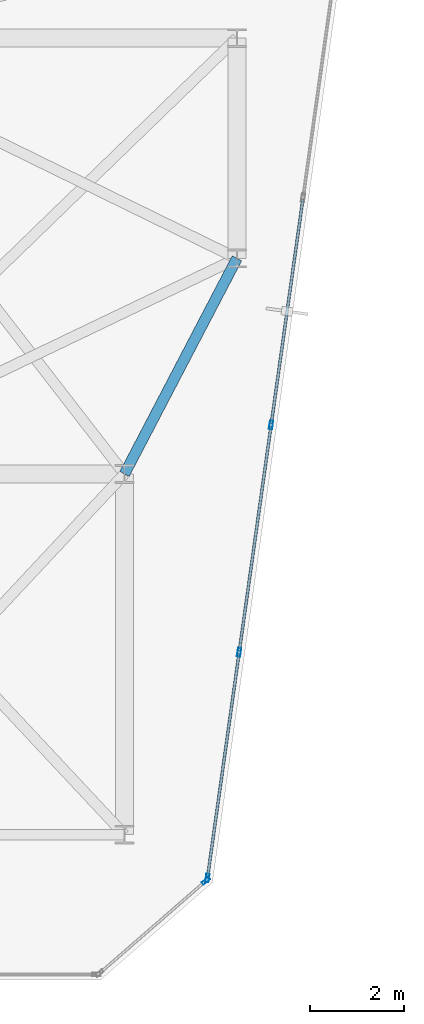
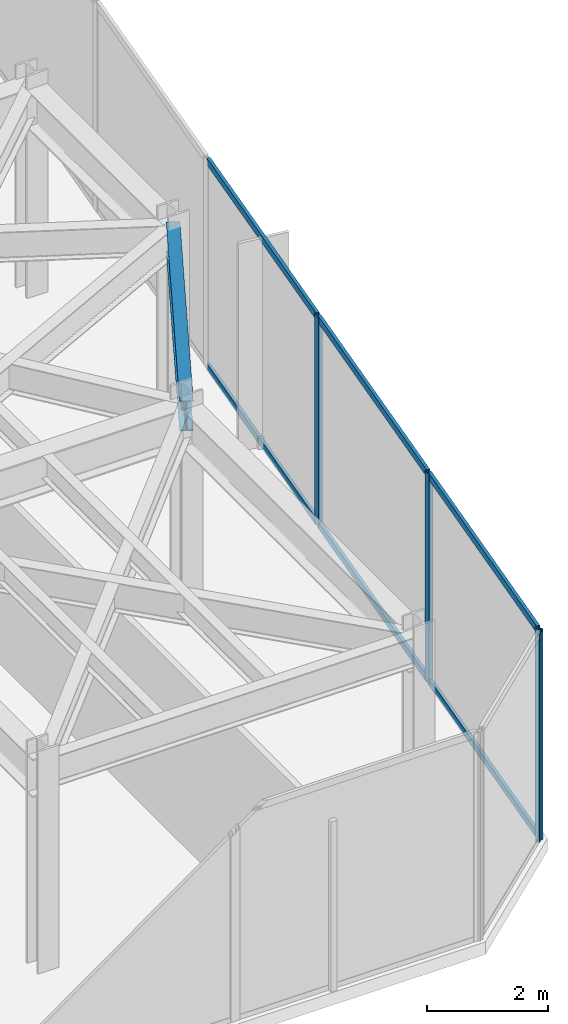
# One storey, part 18 of 25: 10 members, 1 beam, 2 elements without a shape of their own.
"""IFC4 building model written with IfcOpenShell, lengths in metres."""

from ifc_helpers import new_model, si_unit, direction, frame, origin, origin_2d, place, context, subcontext, project, spatial, hollow_rectangle, i_section, extrude, material, layer, layer_set, material_profile, profile_set, type_object, element, aggregate, save


model = new_model("IFC4")

# Units and contexts
model_context = context("Model", 3, precision=1e-05, world=origin(), true_north=direction((0.0, 1.0)))
body_context = subcontext(model_context, "Body", "Model", "MODEL_VIEW")
ifc_project = project(units=[si_unit("LENGTHUNIT", "METRE"), si_unit("AREAUNIT", "SQUARE_METRE"), si_unit("VOLUMEUNIT", "CUBIC_METRE"), si_unit("PLANEANGLEUNIT", "RADIAN"), si_unit("MASSUNIT", "GRAM", prefix="KILO")], contexts=[model_context])

# Site, building, storey
site_placement = place(None, origin())
site = spatial("IfcSite", under=ifc_project, at=site_placement, CompositionType="ELEMENT")
building_placement = place(site_placement, origin())
building = spatial("IfcBuilding", under=site, at=building_placement, Name="Kravanh Interchange Tower", CompositionType="ELEMENT")
storey_placement = place(building_placement, frame((0.0, 0.0, 220.5)))
storey = spatial("IfcBuildingStorey", under=building, at=storey_placement, Name="L53", CompositionType="ELEMENT", Elevation=220.5)

# Curtain wall, members
ifc_material_1 = material(Name="Anodised Bronze Aluminium", Category="aluminium")
ifc_layer = layer(ifc_material_1, 0.179931640625)
ifc_layer_set = layer_set([ifc_layer], Name="Unitised Curtain Wall System CW-SKY Sky Observatory")
curtain_wall_type = type_object("IfcCurtainWallType", Name="Unitised Curtain Wall System CW-SKY Sky Observatory", PredefinedType="NOTDEFINED", material=ifc_layer_set)
curtain_wall_1_placement = place(storey_placement, origin())
curtain_wall_1 = element("IfcCurtainWall", 1, at=curtain_wall_1_placement, inside=storey, type_object=curtain_wall_type, Name="L53 Unitised Curtain Wall CW-L53-02", PredefinedType="NOTDEFINED")
ifc_material_2 = material(Name="Anodised Bronze Aluminium", Category="aluminium")
ifc_material_profile_1 = material_profile(ifc_material_2, hollow_rectangle(XDim=0.070068359375, YDim=0.179931640625, WallThickness=0.00390625, at=origin_2d()), Name="ALU70X180X4")
ifc_profile_set_1 = profile_set([ifc_material_profile_1], Name="Anodised Bronze Aluminium")
member_type_1 = type_object("IfcMemberType", Name="Curtain Wall Mullion ALU70X180X4 Bronze", PredefinedType="MULLION", material=ifc_profile_set_1)
member_1_placement = place(storey_placement, frame((66.329345703125, 23.244384765625, 0.0), z_axis=(0.0, 0.0, 1.0), x_axis=(0.990268194035, -0.139172209446, 0.0)))
member_1 = element("IfcMember", 2, at=member_1_placement, type_object=member_type_1, Name="CW-SKY mullion 4", PredefinedType="MULLION", context=body_context, shape_type="SweptSolid", body=[
    extrude(hollow_rectangle(XDim=0.070068359375, YDim=0.179931640625, WallThickness=0.00390625, at=origin_2d()), origin(), (0.0, 0.0, 1.0), 4.219970703125),
])
member_2_placement = place(storey_placement, frame((65.6474609375, 18.392578125, 0.0), z_axis=(0.0, 0.0, 1.0), x_axis=(0.990268194035, -0.139172209446, 0.0)))
member_2 = element("IfcMember", 3, at=member_2_placement, type_object=member_type_1, Name="CW-SKY mullion 5", PredefinedType="MULLION", context=body_context, shape_type="SweptSolid", body=[
    extrude(hollow_rectangle(XDim=0.070068359375, YDim=0.179931640625, WallThickness=0.00390625, at=origin_2d()), origin(), (0.0, 0.0, 1.0), 4.219970703125),
])
member_3_placement = place(storey_placement, frame((64.970458984375, 13.575439453125, 0.0), z_axis=(0.0, 0.0, 1.0), x_axis=(0.990268194035, -0.139172209446, 0.0)))
member_3 = element("IfcMember", 4, at=member_3_placement, type_object=member_type_1, Name="CW-SKY mullion 6", PredefinedType="MULLION", context=body_context, shape_type="SweptSolid", body=[
    extrude(hollow_rectangle(XDim=0.070068359375, YDim=0.179931640625, WallThickness=0.00390625, at=origin_2d()), origin(), (0.0, 0.0, 1.0), 4.219970703125),
])

# Curtain wall, member
curtain_wall_2_placement = place(storey_placement, origin())
curtain_wall_2 = element("IfcCurtainWall", 5, at=curtain_wall_2_placement, inside=storey, type_object=curtain_wall_type, Name="L53 Unitised Curtain Wall CW-L53-03", PredefinedType="NOTDEFINED")
member_4_placement = place(storey_placement, frame((64.939208984375, 13.517822265625, 0.0), z_axis=(0.0, 0.0, 1.0), x_axis=(0.65605090137, -0.754716645379, 0.0)))
member_4 = element("IfcMember", 6, at=member_4_placement, type_object=member_type_1, Name="CW-SKY mullion 1", PredefinedType="MULLION", context=body_context, shape_type="SweptSolid", body=[
    extrude(hollow_rectangle(XDim=0.070068359375, YDim=0.179931640625, WallThickness=0.00390625, at=origin_2d()), origin(), (0.0, 0.0, 1.0), 4.219970703125),
])
aggregate(curtain_wall_2, [member_4])

# Member
ifc_material_3 = material(Name="Anodised Bronze Aluminium", Category="aluminium")
ifc_material_profile_2 = material_profile(ifc_material_3, hollow_rectangle(XDim=0.06005859375, YDim=0.139892578125, WallThickness=0.00390625, at=origin_2d()), Name="ALU60X140X4")
ifc_profile_set_2 = profile_set([ifc_material_profile_2], Name="Anodised Bronze Aluminium")
member_type_2 = type_object("IfcMemberType", Name="Curtain Wall Transom ALU60X140X4 Bronze", PredefinedType="USERDEFINED", material=ifc_profile_set_2)
member_5_placement = place(storey_placement, frame((67.00634765625, 28.0615234375, 0.030029296875), z_axis=(-0.139170403637, -0.990268447822, 0.0), x_axis=(0.990268447822, -0.139170403637, 0.0)))
member_5 = element("IfcMember", 7, at=member_5_placement, type_object=member_type_2, Name="CW-SKY transom 3.1", ObjectType="TRANSOM", PredefinedType="USERDEFINED", context=body_context, shape_type="SweptSolid", body=[
    extrude(hollow_rectangle(XDim=0.06005859375, YDim=0.139892578125, WallThickness=0.00390625, at=origin_2d()), origin(), (0.0, 0.0, 1.0), 4.82958984375),
])

member_6_placement = place(storey_placement, frame((67.00634765625, 28.0615234375, 4.18994140625), z_axis=(-0.139170403637, -0.990268447822, 0.0), x_axis=(0.990268447822, -0.139170403637, 0.0)))
member_6 = element("IfcMember", 8, at=member_6_placement, type_object=member_type_2, Name="CW-SKY transom 3.2", ObjectType="TRANSOM", PredefinedType="USERDEFINED", context=body_context, shape_type="SweptSolid", body=[
    extrude(hollow_rectangle(XDim=0.06005859375, YDim=0.139892578125, WallThickness=0.00390625, at=origin_2d()), origin(), (0.0, 0.0, 1.0), 4.82958984375),
])

member_7_placement = place(storey_placement, frame((66.324462890625, 23.209716796875, 0.030029296875), z_axis=(-0.139170403637, -0.990268447822, 0.0), x_axis=(0.990268447822, -0.139170403637, 0.0)))
member_7 = element("IfcMember", 9, at=member_7_placement, type_object=member_type_2, Name="CW-SKY transom 4.1", ObjectType="TRANSOM", PredefinedType="USERDEFINED", context=body_context, shape_type="SweptSolid", body=[
    extrude(hollow_rectangle(XDim=0.06005859375, YDim=0.139892578125, WallThickness=0.00390625, at=origin_2d()), origin(), (0.0, 0.0, 1.0), 4.82958984375),
])

member_8_placement = place(storey_placement, frame((66.324462890625, 23.209716796875, 4.18994140625), z_axis=(-0.139170403637, -0.990268447822, 0.0), x_axis=(0.990268447822, -0.139170403637, 0.0)))
member_8 = element("IfcMember", 10, at=member_8_placement, type_object=member_type_2, Name="CW-SKY transom 4.2", ObjectType="TRANSOM", PredefinedType="USERDEFINED", context=body_context, shape_type="SweptSolid", body=[
    extrude(hollow_rectangle(XDim=0.06005859375, YDim=0.139892578125, WallThickness=0.00390625, at=origin_2d()), origin(), (0.0, 0.0, 1.0), 4.82958984375),
])

member_9_placement = place(storey_placement, frame((65.642578125, 18.35791015625, 0.030029296875), z_axis=(-0.13916822667, -0.990268753766, 0.0), x_axis=(0.990268753766, -0.13916822667, 0.0)))
member_9 = element("IfcMember", 11, at=member_9_placement, type_object=member_type_2, Name="CW-SKY transom 5.1", ObjectType="TRANSOM", PredefinedType="USERDEFINED", context=body_context, shape_type="SweptSolid", body=[
    extrude(hollow_rectangle(XDim=0.06005859375, YDim=0.139892578125, WallThickness=0.00390625, at=origin_2d()), origin(), (0.0, 0.0, 1.0), 4.79443359375),
])

member_10_placement = place(storey_placement, frame((65.642578125, 18.35791015625, 4.18994140625), z_axis=(-0.13916822667, -0.990268753766, 0.0), x_axis=(0.990268753766, -0.13916822667, 0.0)))
member_10 = element("IfcMember", 12, at=member_10_placement, type_object=member_type_2, Name="CW-SKY transom 5.2", ObjectType="TRANSOM", PredefinedType="USERDEFINED", context=body_context, shape_type="SweptSolid", body=[
    extrude(hollow_rectangle(XDim=0.06005859375, YDim=0.139892578125, WallThickness=0.00390625, at=origin_2d()), origin(), (0.0, 0.0, 1.0), 4.79443359375),
])

aggregate(curtain_wall_1, [member_1, member_2, member_3, member_5, member_6, member_7, member_8, member_9, member_10])

# Beam
ifc_material_4 = material(Name="Structural Steel S355", Category="steel")
ifc_material_profile_3 = material_profile(ifc_material_4, i_section(OverallWidth=0.22802734375, OverallDepth=0.60791015625, WebThickness=0.01123046875, FlangeThickness=0.017333984375, FilletRadius=0.02197265625, at=origin_2d()), Name="W24X76")
ifc_profile_set_3 = profile_set([ifc_material_profile_3], Name="Structural Steel S355")
beam_type = type_object("IfcBeamType", Name="Floor Spandrel W24X76 Structural Steel S355", PredefinedType="SPANDREL", material=ifc_profile_set_3)
beam_placement = place(storey_placement, frame((65.60009765625, 26.800048828125, 3.916015625), z_axis=(-0.462580479178, -0.886577295155, 0.0), x_axis=(0.886577295155, -0.462580479178, 0.0)))
element("IfcBeam", 13, at=beam_placement, inside=storey, type_object=beam_type, Name="L53 Perimeter Spandrel 58", PredefinedType="SPANDREL", context=body_context, shape_type="SweptSolid", body=[
    extrude(i_section(OverallWidth=0.22802734375, OverallDepth=0.60791015625, WebThickness=0.01123046875, FlangeThickness=0.017333984375, FilletRadius=0.02197265625, at=origin_2d()), origin(), (0.0, 0.0, 1.0), 5.188720703125),
])

save(model, "model.ifc")
